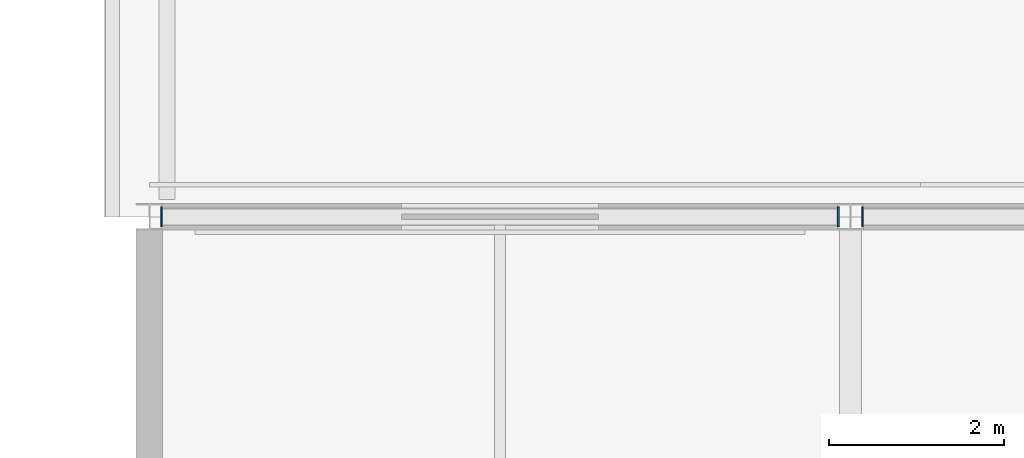
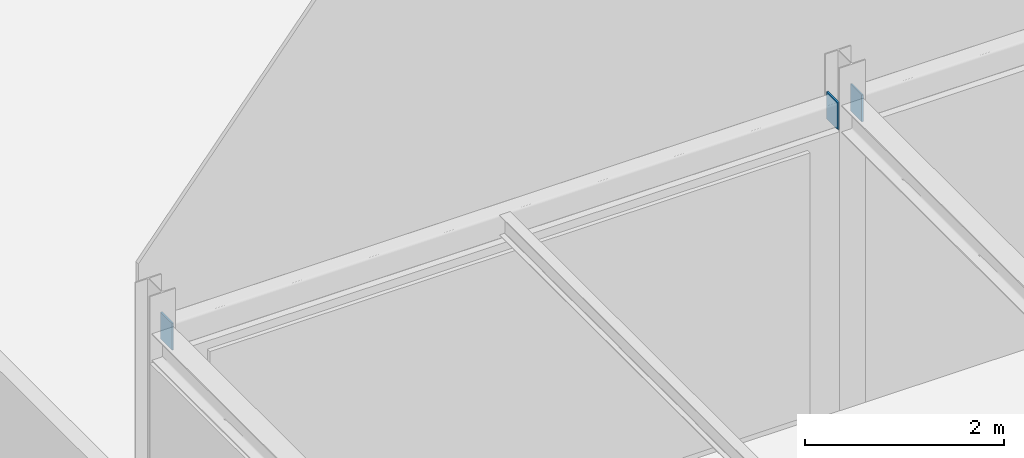
# One storey, part 63 of 88: 3 plates.
"""IFC4 building model written with IfcOpenShell, lengths in metres."""

from ifc_helpers import new_model, si_unit, direction, frame, origin, origin_2d, place, context, subcontext, project, spatial, rectangle, extrude, material, layer, layer_set, type_object, element, save


model = new_model("IFC4")

# Units and contexts
model_context = context("Model", 3, precision=1e-05, world=origin(), true_north=direction((0.0, 1.0)))
body_context = subcontext(model_context, "Body", "Model", "MODEL_VIEW")
ifc_project = project(units=[si_unit("LENGTHUNIT", "METRE"), si_unit("AREAUNIT", "SQUARE_METRE"), si_unit("VOLUMEUNIT", "CUBIC_METRE"), si_unit("PLANEANGLEUNIT", "RADIAN"), si_unit("MASSUNIT", "GRAM", prefix="KILO")], contexts=[model_context])

# Site, building, storey
site_placement = place(None, origin())
site = spatial("IfcSite", under=ifc_project, at=site_placement, CompositionType="ELEMENT")
building_placement = place(site_placement, origin())
building = spatial("IfcBuilding", under=site, at=building_placement, Name="Zhaolan Boulevard Law Courts", CompositionType="ELEMENT")
storey_placement = place(building_placement, frame((0.0, 0.0, 16.199951171875)))
storey = spatial("IfcBuildingStorey", under=building, at=storey_placement, Name="L03", CompositionType="ELEMENT", Elevation=16.199951171875)

# Plates
ifc_material = material(Name="Structural steel Q355B", Category="steel")
ifc_layer = layer(ifc_material, 0.02001953125)
ifc_layer_set = layer_set([ifc_layer])
plate_type = type_object("IfcPlateType", Name="END CAP PLATE 20", PredefinedType="SHEET", material=ifc_layer_set)
for number, where, z_axis, x_axis, name in (
    (1, (52.137939453125, 94.0, 3.423095703125), (0.0, 0.0, 1.0), (1.0, 0.0, 0.0), "Hollow Section End-Cap Plate ECP-0941"),
    (2, (59.862060546875, 94.0, 3.423095703125), (0.0, 0.0, 1.0), (1.0, 0.0, 0.0), "Hollow Section End-Cap Plate ECP-0942"),
    (3, (60.137939453125, 94.0, 3.423095703125), (0.0, 0.0, 1.0), (1.0, 0.0, 0.0), "Hollow Section End-Cap Plate ECP-0943"),
):
    element("IfcPlate", number, at=place(storey_placement, frame(where, z_axis=z_axis, x_axis=x_axis)), inside=storey, type_object=plate_type, Name=name, PredefinedType="SHEET", context=body_context, shape_type="SweptSolid", body=[
        extrude(rectangle(XDim=0.02001953125, YDim=0.22998046875, at=origin_2d()), origin(), (0.0, 0.0, 1.0), 0.330078125),
    ])

save(model, "model.ifc")
